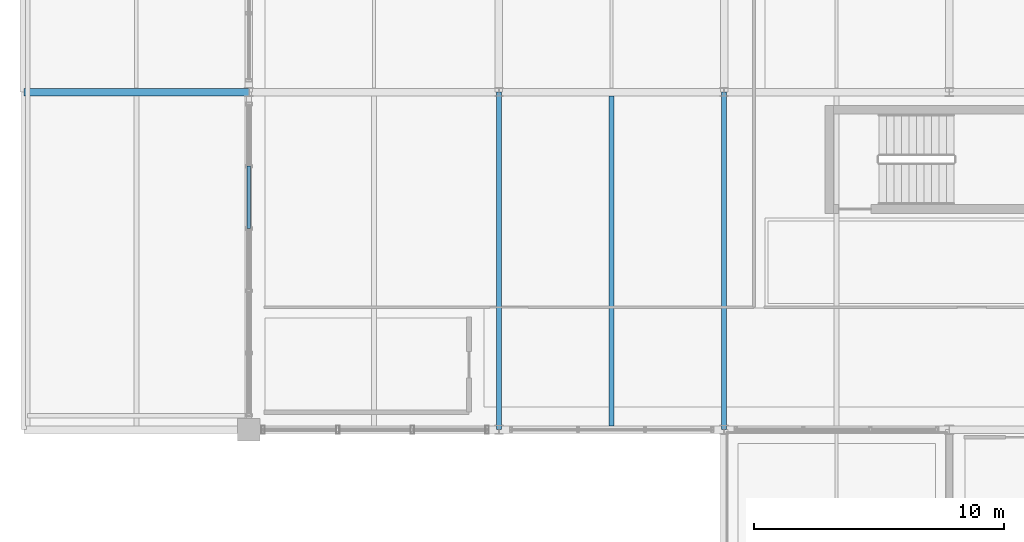
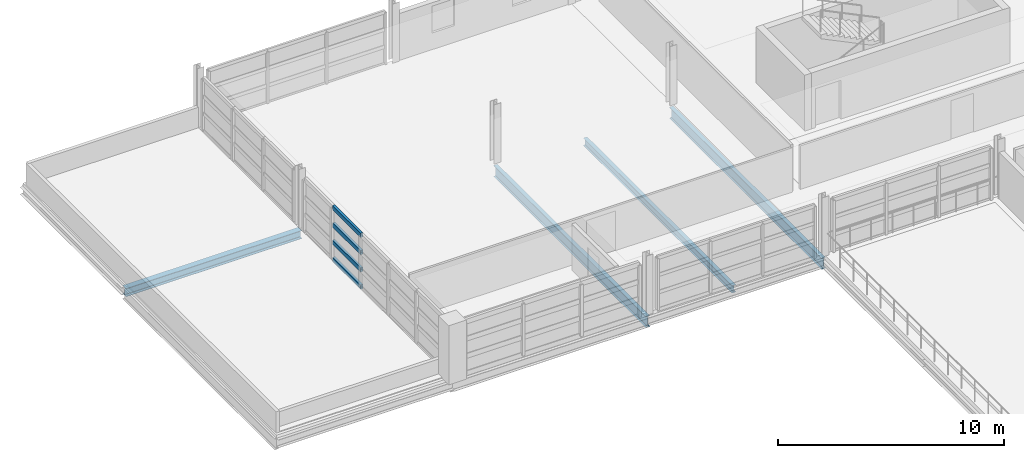
# One storey, part 9 of 30: 4 beams, 4 members, 1 element without a shape of its own.
"""IFC4 building model written with IfcOpenShell, lengths in metres."""

from ifc_helpers import new_model, si_unit, direction, frame, origin, origin_2d, place, context, subcontext, project, spatial, hollow_rectangle, i_section, extrude, material, material_profile, profile_set, type_object, element, aggregate, save


model = new_model("IFC4")

# Units and contexts
model_context = context("Model", 3, precision=1e-05, world=origin(), true_north=direction((0.0, 1.0)))
body_context = subcontext(model_context, "Body", "Model", "MODEL_VIEW")
ifc_project = project(units=[si_unit("LENGTHUNIT", "METRE"), si_unit("AREAUNIT", "SQUARE_METRE"), si_unit("VOLUMEUNIT", "CUBIC_METRE"), si_unit("PLANEANGLEUNIT", "RADIAN"), si_unit("MASSUNIT", "GRAM", prefix="KILO")], contexts=[model_context])

# Site, building, storey
site_placement = place(None, origin())
site = spatial("IfcSite", under=ifc_project, at=site_placement, CompositionType="ELEMENT")
building_placement = place(site_placement, origin())
building = spatial("IfcBuilding", under=site, at=building_placement, Name="Chuanluo Vaults Station", CompositionType="ELEMENT")
storey_placement = place(building_placement, frame((0.0, 0.0, 17.60009765625)))
storey = spatial("IfcBuildingStorey", under=building, at=storey_placement, Name="L04", CompositionType="ELEMENT", Elevation=17.60009765625)

# Beams
ifc_material_1 = material(Name="Steel Q355C", Category="steel")
ifc_material_profile_1 = material_profile(ifc_material_1, i_section(OverallWidth=0.300048828125, OverallDepth=0.43994140625, WebThickness=0.010986328125, FlangeThickness=0.01806640625, FilletRadius=0.02001953125, at=origin_2d()))
ifc_profile_set_1 = profile_set([ifc_material_profile_1], Name="Steel Q355C")
beam_type_1 = type_object("IfcBeamType", Name="BM-GRD-450", PredefinedType="USERDEFINED", material=ifc_profile_set_1)
beam_1_placement = place(storey_placement, frame((117.0, 117.0, -0.385009765625), z_axis=(1.0, 0.0, 0.0), x_axis=(0.0, 1.0, 0.0)))
element("IfcBeam", 1, at=beam_1_placement, inside=storey, type_object=beam_type_1, Name="Floor girder BM:GX:L04:0883", ObjectType="GIRDER", PredefinedType="USERDEFINED", context=body_context, shape_type="SweptSolid", body=[
    extrude(i_section(OverallWidth=0.300048828125, OverallDepth=0.43994140625, WebThickness=0.010986328125, FlangeThickness=0.01806640625, FilletRadius=0.02001953125, at=origin_2d()), origin(), (0.0, 0.0, 1.0), 9.0),
])
ifc_material_2 = material(Name="Steel Q355C", Category="steel")
ifc_material_profile_2 = material_profile(ifc_material_2, i_section(OverallWidth=0.199951171875, OverallDepth=0.60009765625, WebThickness=0.010986328125, FlangeThickness=0.01708984375, FilletRadius=0.01806640625, at=origin_2d()))
ifc_profile_set_2 = profile_set([ifc_material_profile_2], Name="Steel Q355C")
beam_type_2 = type_object("IfcBeamType", Name="BM-GRD-600", PredefinedType="USERDEFINED", material=ifc_profile_set_2)
for number, where, z_axis, x_axis, name in (
    (2, (136.0, 103.5, -0.5), (0.0, 1.0, 0.0), (-1.0, 0.0, 0.0), "Floor girder BM:GY:L04:0905"),
    (3, (145.0, 103.5, -0.5), (0.0, 1.0, 0.0), (-1.0, 0.0, 0.0), "Floor girder BM:GY:L04:0914"),
):
    element("IfcBeam", number, at=place(storey_placement, frame(where, z_axis=z_axis, x_axis=x_axis)), inside=storey, type_object=beam_type_2, Name=name, ObjectType="GIRDER", PredefinedType="USERDEFINED", context=body_context, shape_type="SweptSolid", body=[
        extrude(i_section(OverallWidth=0.199951171875, OverallDepth=0.60009765625, WebThickness=0.010986328125, FlangeThickness=0.01708984375, FilletRadius=0.01806640625, at=origin_2d()), origin(), (0.0, 0.0, 1.0), 13.5),
    ])
ifc_material_3 = material(Name="Steel Q355C", Category="steel")
ifc_material_profile_3 = material_profile(ifc_material_3, i_section(OverallWidth=0.199951171875, OverallDepth=0.39990234375, WebThickness=0.008056640625, FlangeThickness=0.012939453125, FilletRadius=0.01611328125, at=origin_2d()))
ifc_profile_set_3 = profile_set([ifc_material_profile_3], Name="Steel Q355C")
beam_type_3 = type_object("IfcBeamType", Name="BM-SEC-400", PredefinedType="BEAM", material=ifc_profile_set_3)
beam_2_placement = place(storey_placement, frame((140.5, 103.655029296875, -0.400146484375), z_axis=(0.0, 1.0, 0.0), x_axis=(-1.0, 0.0, 0.0)))
element("IfcBeam", 4, at=beam_2_placement, inside=storey, type_object=beam_type_3, Name="Composite secondary joist 0266", PredefinedType="BEAM", context=body_context, shape_type="SweptSolid", body=[
    extrude(i_section(OverallWidth=0.199951171875, OverallDepth=0.39990234375, WebThickness=0.008056640625, FlangeThickness=0.012939453125, FilletRadius=0.01611328125, at=origin_2d()), origin(), (0.0, 0.0, 1.0), 13.18994140625),
])

# Curtain wall, members
ifc_material_4 = material(Name="Anodised aluminium 6063-T6", Category="aluminium")
curtain_wall_type = type_object("IfcCurtainWallType", Name="CW-SYS-14", PredefinedType="NOTDEFINED", material=ifc_material_4)
curtain_wall_placement = place(storey_placement, origin())
curtain_wall = element("IfcCurtainWall", 5, at=curtain_wall_placement, inside=storey, type_object=curtain_wall_type, Name="Operations L04 facade CW", PredefinedType="NOTDEFINED")
ifc_material_5 = material(Name="Anodised aluminium 6063-T6", Category="aluminium")
ifc_material_profile_4 = material_profile(ifc_material_5, hollow_rectangle(XDim=0.1298828125, YDim=0.22998046875, WallThickness=0.006103515625, at=origin_2d()))
ifc_profile_set_4 = profile_set([ifc_material_profile_4], Name="Anodised aluminium 6063-T6")
member_type = type_object("IfcMemberType", Name="CWT-150", PredefinedType="USERDEFINED", material=ifc_profile_set_4)
member_1_placement = place(storey_placement, frame((126.0, 111.544921875, 0.0), z_axis=(0.0, 1.0, 0.0), x_axis=(-1.0, 0.0, 0.0)))
member_1 = element("IfcMember", 6, at=member_1_placement, type_object=member_type, Name="Operations L04 facade CW transom 4.1", ObjectType="TRANSOM", PredefinedType="USERDEFINED", context=body_context, shape_type="SweptSolid", body=[
    extrude(hollow_rectangle(XDim=0.1298828125, YDim=0.22998046875, WallThickness=0.006103515625, at=origin_2d()), origin(), (0.0, 0.0, 1.0), 2.489990234375),
])
member_2_placement = place(storey_placement, frame((126.0, 111.544921875, 0.93310546875), z_axis=(0.0, 1.0, 0.0), x_axis=(-1.0, 0.0, 0.0)))
member_2 = element("IfcMember", 7, at=member_2_placement, type_object=member_type, Name="Operations L04 facade CW transom 4.2", ObjectType="TRANSOM", PredefinedType="USERDEFINED", context=body_context, shape_type="SweptSolid", body=[
    extrude(hollow_rectangle(XDim=0.1298828125, YDim=0.22998046875, WallThickness=0.006103515625, at=origin_2d()), origin(), (0.0, 0.0, 1.0), 2.489990234375),
])
member_3_placement = place(storey_placement, frame((126.0, 111.544921875, 1.86669921875), z_axis=(0.0, 1.0, 0.0), x_axis=(-1.0, 0.0, 0.0)))
member_3 = element("IfcMember", 8, at=member_3_placement, type_object=member_type, Name="Operations L04 facade CW transom 4.3", ObjectType="TRANSOM", PredefinedType="USERDEFINED", context=body_context, shape_type="SweptSolid", body=[
    extrude(hollow_rectangle(XDim=0.1298828125, YDim=0.22998046875, WallThickness=0.006103515625, at=origin_2d()), origin(), (0.0, 0.0, 1.0), 2.489990234375),
])
member_4_placement = place(storey_placement, frame((126.0, 111.544921875, 2.7998046875), z_axis=(0.0, 1.0, 0.0), x_axis=(-1.0, 0.0, 0.0)))
member_4 = element("IfcMember", 9, at=member_4_placement, type_object=member_type, Name="Operations L04 facade CW transom 4.4", ObjectType="TRANSOM", PredefinedType="USERDEFINED", context=body_context, shape_type="SweptSolid", body=[
    extrude(hollow_rectangle(XDim=0.1298828125, YDim=0.22998046875, WallThickness=0.006103515625, at=origin_2d()), origin(), (0.0, 0.0, 1.0), 2.489990234375),
])
aggregate(curtain_wall, [member_1, member_2, member_3, member_4])

save(model, "model.ifc")
